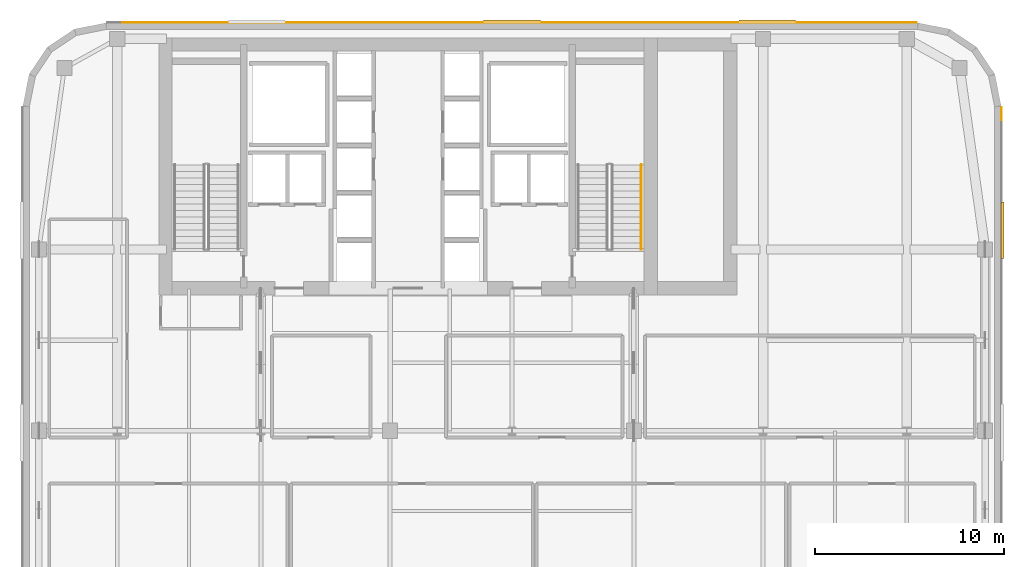
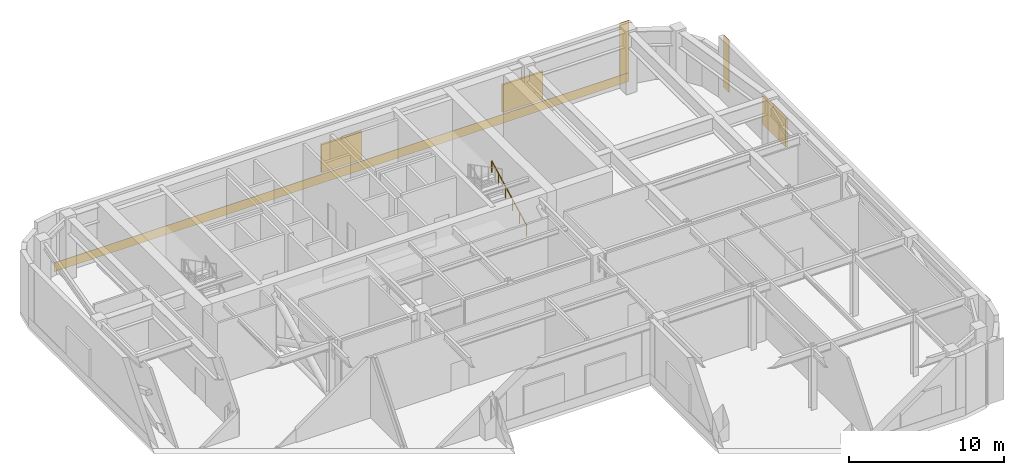
# One storey, part 12 of 12: 3 coverings, 3 shading devices, 1 railing.
"""IFC4 building model written with IfcOpenShell, lengths in metres."""

from ifc_helpers import new_model, si_unit, direction, frame, origin, origin_2d, place, context, subcontext, project, spatial, polyline, circle, outline, extrude, material, layer, layer_set, type_object, element, save


model = new_model("IFC4")

# Units and contexts
model_context = context("Model", 3, precision=1e-05, world=origin(), true_north=direction((0.0, 1.0)))
body_context = subcontext(model_context, "Body", "Model", "MODEL_VIEW")
ifc_project = project(units=[si_unit("LENGTHUNIT", "METRE"), si_unit("AREAUNIT", "SQUARE_METRE"), si_unit("VOLUMEUNIT", "CUBIC_METRE"), si_unit("PLANEANGLEUNIT", "RADIAN"), si_unit("MASSUNIT", "GRAM", prefix="KILO")], contexts=[model_context])

# Site, building, storey
site_placement = place(None, origin())
site = spatial("IfcSite", under=ifc_project, at=site_placement, CompositionType="ELEMENT")
building_placement = place(site_placement, origin())
building = spatial("IfcBuilding", under=site, at=building_placement, Name="Tolvann Quenvar Hotel", CompositionType="ELEMENT")
storey_placement = place(building_placement, frame((0.0, 0.0, 182.550048828125)))
storey = spatial("IfcBuildingStorey", under=building, at=storey_placement, Name="L48", CompositionType="ELEMENT", Elevation=182.550048828125)

# Coverings
ifc_material_1 = material(Name="Kiln-fired red architectural face brick cladding", Category="masonry")
ifc_layer_1 = layer(ifc_material_1, 0.0400390625)
ifc_layer_set_1 = layer_set([ifc_layer_1], Name="Kiln-fired red architectural face brick cladding")
covering_type_1 = type_object("IfcCoveringType", Name="COV_CLAD_BRICK_40", PredefinedType="CLADDING", material=ifc_layer_set_1)
covering_1_placement = place(storey_placement, frame((0.0, 0.0, 0.699951171875)))
element("IfcCovering", 1, at=covering_1_placement, inside=storey, type_object=covering_type_1, Name="Brick Pier Cladding (L48-E13-P2)", PredefinedType="CLADDING", context=body_context, shape_type="SweptSolid", body=[
    extrude(outline(polyline([(54.39990234375, 40.832763671875), (54.39990234375, 41.53271484375), (54.43994140625, 41.53271484375), (54.43994140625, 40.832763671875), (54.39990234375, 40.832763671875)])), origin(), (0.0, 0.0, 1.0), 4.1201171875),
])
covering_2_placement = place(storey_placement, frame((0.0, 0.0, 0.699951171875)))
element("IfcCovering", 2, at=covering_2_placement, inside=storey, type_object=covering_type_1, Name="Brick Pier Cladding (L48-E18-P1)", PredefinedType="CLADDING", context=body_context, shape_type="SweptSolid", body=[
    extrude(outline(polyline([(49.932861328125, 46.0), (49.23291015625, 46.0), (49.23291015625, 46.0400390625), (49.932861328125, 46.0400390625), (49.932861328125, 46.0)])), origin(), (0.0, 0.0, 1.0), 4.1201171875),
])
ifc_material_2 = material(Name="Moulded buff architectural terracotta spandrel cladding", Category="masonry")
ifc_layer_2 = layer(ifc_material_2, 0.0400390625)
ifc_layer_set_2 = layer_set([ifc_layer_2], Name="Moulded buff architectural terracotta spandrel cladding")
covering_type_2 = type_object("IfcCoveringType", Name="COV_CLAD_TERRA_40", PredefinedType="CLADDING", material=ifc_layer_set_2)
covering_3_placement = place(storey_placement, origin())
element("IfcCovering", 3, at=covering_3_placement, inside=storey, type_object=covering_type_2, Name="Terracotta Spandrel Cladding (L48-E18)", PredefinedType="CLADDING", context=body_context, shape_type="SweptSolid", body=[
    extrude(outline(polyline([(49.94287109375, 46.0), (7.05712890625, 46.0), (7.05712890625, 46.0400390625), (49.94287109375, 46.0400390625), (49.94287109375, 46.0)])), origin(), (0.0, 0.0, 1.0), 0.699951171875),
])

# Railing
ifc_material_3 = material(Name="Brushed 316 stainless steel balustrade and handrail", Category="steel")
railing_type = type_object("IfcRailingType", Name="HANDRAIL", PredefinedType="HANDRAIL", material=ifc_material_3)
railing_placement = place(storey_placement, frame((35.35009765625, 34.0, 0.178466796875)))
element("IfcRailing", 4, at=railing_placement, inside=storey, type_object=railing_type, Name="L48 ST-C2 stair handrail 1", PredefinedType="HANDRAIL", context=body_context, shape_type="SweptSolid", body=[
    extrude(circle(Radius=0.02392578125, at=origin_2d()), frame((0.0, 0.0, 0.8759765625), z_axis=(0.0, 0.888084280779, 0.459680661147), x_axis=(-1.0, 0.0, 0.0)), (0.0, 0.0, 1.0), 5.05029296875),
    extrude(circle(Radius=0.02099609375, at=origin_2d()), origin(), (0.0, 0.0, 1.0), 0.851806640625),
    extrude(circle(Radius=0.02099609375, at=origin_2d()), frame((0.0, 0.89697265625, 0.46435546875)), (0.0, 0.0, 1.0), 0.851806640625),
    extrude(circle(Radius=0.02099609375, at=origin_2d()), frame((0.0, 1.7939453125, 0.9287109375)), (0.0, 0.0, 1.0), 0.851806640625),
    extrude(circle(Radius=0.02099609375, at=origin_2d()), frame((0.0, 2.691162109375, 1.392822265625)), (0.0, 0.0, 1.0), 0.851806640625),
    extrude(circle(Radius=0.02099609375, at=origin_2d()), frame((0.0, 3.588134765625, 1.857177734375)), (0.0, 0.0, 1.0), 0.851806640625),
    extrude(circle(Radius=0.02099609375, at=origin_2d()), frame((0.0, 4.485107421875, 2.321533203125)), (0.0, 0.0, 1.0), 0.851806640625),
])

# Shading devices
ifc_material_4 = material(Name="Extruded bronze-anodised aluminium acoustic weather louvre", Category="aluminium")
shading_device_type = type_object("IfcShadingDeviceType", Name="SHD_LOUVRE_AL", PredefinedType="JALOUSIE", material=ifc_material_4)
shading_device_1_placement = place(storey_placement, frame((0.0, 0.0, 0.820068359375)))
element("IfcShadingDevice", 5, at=shading_device_1_placement, inside=storey, type_object=shading_device_type, Name="Acoustic Plant Weather Louvre (L48-E13-3)", PredefinedType="JALOUSIE", context=body_context, shape_type="SweptSolid", body=[
    extrude(outline(polyline([(54.39990234375, 33.52197265625), (54.39990234375, 36.52197265625), (54.550048828125, 36.52197265625), (54.550048828125, 33.52197265625), (54.39990234375, 33.52197265625)])), origin(), (0.0, 0.0, 1.0), 2.199951171875),
])
shading_device_2_placement = place(storey_placement, frame((0.0, 0.0, 0.820068359375)))
element("IfcShadingDevice", 6, at=shading_device_2_placement, inside=storey, type_object=shading_device_type, Name="Acoustic Plant Weather Louvre (L48-E18-1)", PredefinedType="JALOUSIE", context=body_context, shape_type="SweptSolid", body=[
    extrude(outline(polyline([(43.52197265625, 46.0), (40.52197265625, 46.0), (40.52197265625, 46.14990234375), (43.52197265625, 46.14990234375), (43.52197265625, 46.0)])), origin(), (0.0, 0.0, 1.0), 2.199951171875),
])
shading_device_3_placement = place(storey_placement, frame((0.0, 0.0, 0.820068359375)))
element("IfcShadingDevice", 7, at=shading_device_3_placement, inside=storey, type_object=shading_device_type, Name="Acoustic Plant Weather Louvre (L48-E18-2)", PredefinedType="JALOUSIE", context=body_context, shape_type="SweptSolid", body=[
    extrude(outline(polyline([(30.0, 46.0), (27.0, 46.0), (27.0, 46.14990234375), (30.0, 46.14990234375), (30.0, 46.0)])), origin(), (0.0, 0.0, 1.0), 2.199951171875),
])

save(model, "model.ifc")
